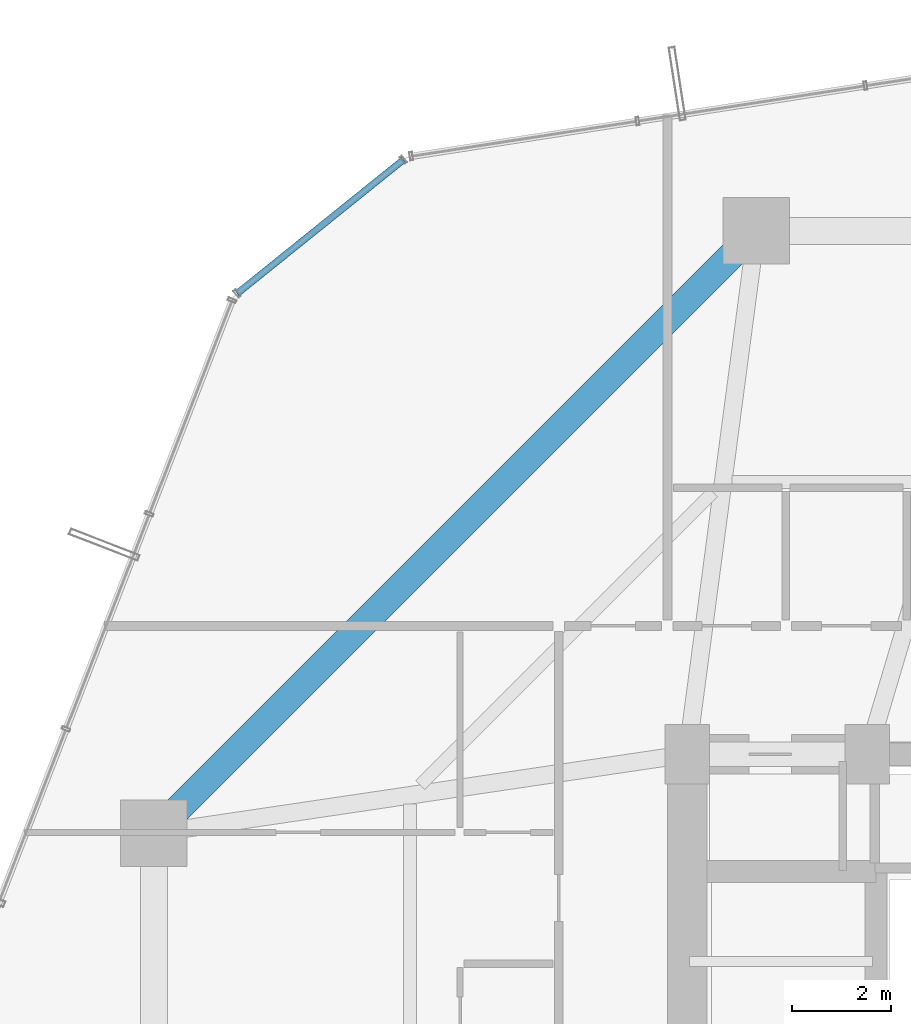
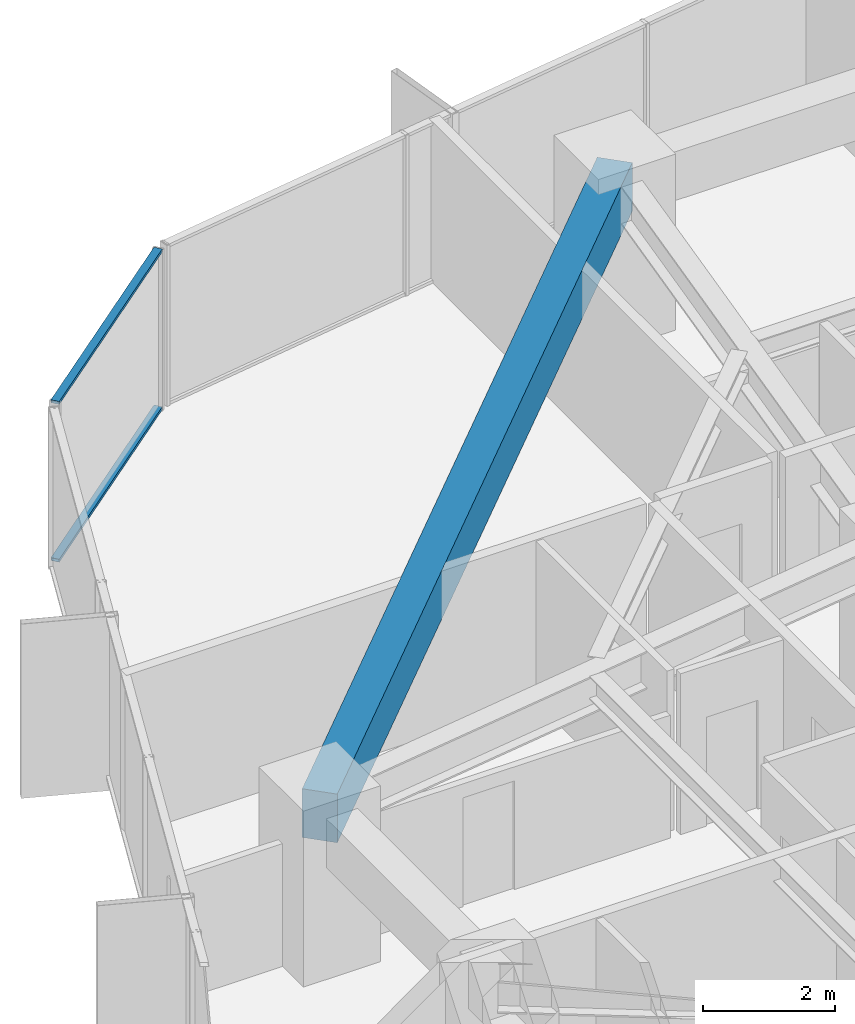
# One storey, part 22 of 37: 2 members, 1 beam, 1 element without a shape of its own.
"""IFC4 building model written with IfcOpenShell, lengths in metres."""

from ifc_helpers import new_model, si_unit, direction, frame, origin, origin_2d, place, context, subcontext, project, spatial, rectangle, hollow_rectangle, extrude, source, transform, mapped, material, layer, layer_set, material_profile, profile_set, type_object, element, aggregate, save


model = new_model("IFC4")

# Units and contexts
model_context = context("Model", 3, precision=1e-05, world=origin(), true_north=direction((0.0, 1.0)))
body_context = subcontext(model_context, "Body", "Model", "MODEL_VIEW")
ifc_project = project(units=[si_unit("LENGTHUNIT", "METRE"), si_unit("AREAUNIT", "SQUARE_METRE"), si_unit("VOLUMEUNIT", "CUBIC_METRE"), si_unit("PLANEANGLEUNIT", "RADIAN"), si_unit("MASSUNIT", "GRAM", prefix="KILO")], contexts=[model_context])

# Site, building, storey
site_placement = place(None, origin())
site = spatial("IfcSite", under=ifc_project, at=site_placement, CompositionType="ELEMENT")
building_placement = place(site_placement, origin())
building = spatial("IfcBuilding", under=site, at=building_placement, Name="Veraguas Prism Commons", CompositionType="ELEMENT")
storey_placement = place(building_placement, frame((0.0, 0.0, 53.300048828125)))
storey = spatial("IfcBuildingStorey", under=building, at=storey_placement, Name="L14", CompositionType="ELEMENT", Elevation=53.300048828125)

# Beam
ifc_material_1 = material(Name="Concrete C50/60", Category="concrete")
ifc_material_profile_1 = material_profile(ifc_material_1, rectangle(XDim=0.550048828125, YDim=0.89990234375, at=origin_2d()), Name="RC550X900")
ifc_profile_set_1 = profile_set([ifc_material_profile_1], Name="Concrete C50/60")
beam_type = type_object("IfcBeamType", Name="Perimeter Spandrel Lower RC 550x900", PredefinedType="SPANDREL", material=ifc_profile_set_1)
beam_placement = place(storey_placement, frame((18.60009765625, 41.60009765625, 2.52001953125), z_axis=(-0.707106781187, -0.707106781187, 0.0), x_axis=(0.707106781187, -0.707106781187, 0.0)))
element("IfcBeam", 1, at=beam_placement, inside=storey, type_object=beam_type, Name="Perimeter Spandrel Beam L14-SP06", PredefinedType="SPANDREL", context=body_context, shape_type="SweptSolid", body=[
    extrude(rectangle(XDim=0.550048828125, YDim=0.89990234375, at=origin_2d()), origin(), (0.0, 0.0, 1.0), 17.253662109375),
])

# Curtain wall, members
ifc_material_2 = material(Name="Anodised aluminium EN AW-6063 T6", Category="aluminium")
ifc_layer = layer(ifc_material_2, 0.169921875, Name="Unitised Flush Curtain Wall Zone 1", Category="aluminium")
ifc_layer_set = layer_set([ifc_layer], Name="Anodised aluminium EN AW-6063 T6")
curtain_wall_type = type_object("IfcCurtainWallType", Name="Unitised Flush Curtain Wall Zone 1", PredefinedType="NOTDEFINED", material=ifc_layer_set)
curtain_wall_placement = place(storey_placement, origin())
curtain_wall = element("IfcCurtainWall", 2, at=curtain_wall_placement, inside=storey, type_object=curtain_wall_type, Name="Chamfer Curtain Wall L14-C3", PredefinedType="NOTDEFINED")
ifc_material_profile_2 = material_profile(ifc_material_2, hollow_rectangle(XDim=0.054931640625, YDim=0.135009765625, WallThickness=0.0029296875, at=origin_2d()), Name="AL55X135X3")
ifc_profile_set_2 = profile_set([ifc_material_profile_2], Name="Anodised aluminium EN AW-6063 T6")
member_type = type_object("IfcMemberType", Name="Curtain Wall Transom Standard AL 55x135x3", PredefinedType="USERDEFINED", material=ifc_profile_set_2)
shared_shape = source(origin(), body_context, "Body", "SweptSolid", [
    extrude(hollow_rectangle(XDim=0.054931640625, YDim=0.135009765625, WallThickness=0.0029296875, at=origin_2d()), origin(), (0.0, 0.0, 1.0), 4.31982421875),
])
member_1_placement = place(storey_placement, frame((11.4521484375, 43.040771484375, 0.02734375), z_axis=(-0.779123439027, -0.626870534288, 0.0), x_axis=(0.0, 0.0, 1.0)))
member_1 = element("IfcMember", 3, at=member_1_placement, type_object=member_type, Name="CW-Z1 Transom 1", ObjectType="TRANSOM", PredefinedType="USERDEFINED", context=body_context, shape_type="MappedRepresentation", body=[
    mapped(shared_shape, transform((0.0, 0.0, 0.0), scale=1.0)),
])
member_2_placement = place(storey_placement, frame((11.4521484375, 43.040771484375, 2.9423828125), z_axis=(-0.779123439027, -0.626870534288, 0.0), x_axis=(0.0, 0.0, 1.0)))
member_2 = element("IfcMember", 4, at=member_2_placement, type_object=member_type, Name="CW-Z1 Transom 2", ObjectType="TRANSOM", PredefinedType="USERDEFINED", context=body_context, shape_type="MappedRepresentation", body=[
    mapped(shared_shape, transform((0.0, 0.0, 0.0), scale=1.0)),
])
aggregate(curtain_wall, [member_1, member_2])

save(model, "model.ifc")
